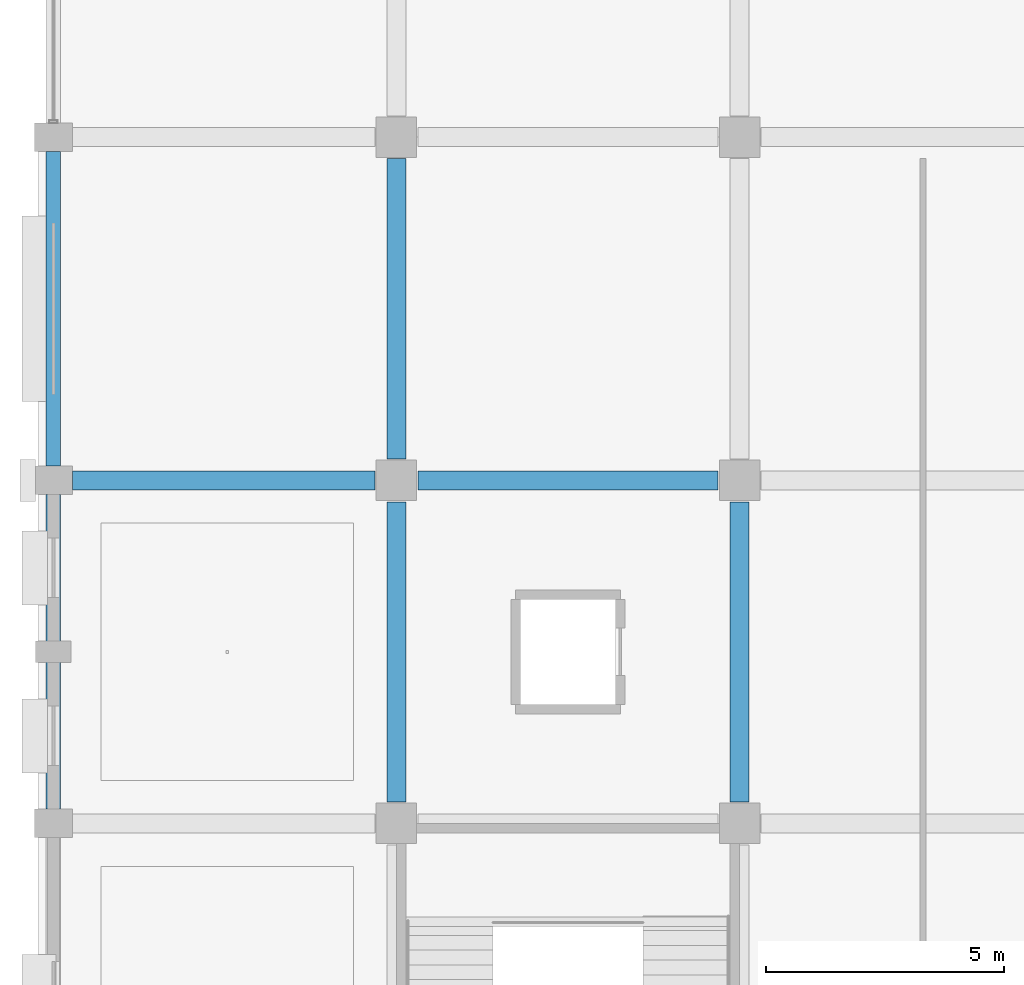
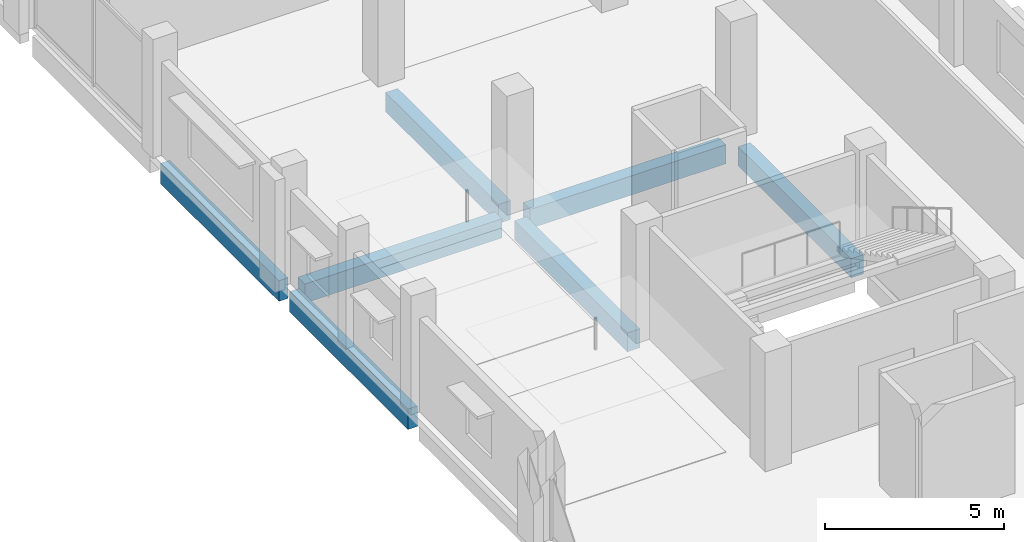
# One storey, part 25 of 107: 7 beams.
"""IFC4 building model written with IfcOpenShell, lengths in metres."""

from ifc_helpers import new_model, si_unit, direction, frame, origin, origin_2d, place, context, subcontext, project, spatial, rectangle, extrude, material, material_profile, profile_set, type_object, element, save


model = new_model("IFC4")

# Units and contexts
model_context = context("Model", 3, precision=1e-05, world=origin(), true_north=direction((0.0, 1.0)))
body_context = subcontext(model_context, "Body", "Model", "MODEL_VIEW")
ifc_project = project(units=[si_unit("LENGTHUNIT", "METRE"), si_unit("AREAUNIT", "SQUARE_METRE"), si_unit("VOLUMEUNIT", "CUBIC_METRE"), si_unit("PLANEANGLEUNIT", "RADIAN"), si_unit("MASSUNIT", "GRAM", prefix="KILO")], contexts=[model_context])

# Site, building, storey
site_placement = place(None, origin())
site = spatial("IfcSite", under=ifc_project, at=site_placement, CompositionType="ELEMENT")
building_placement = place(site_placement, origin())
building = spatial("IfcBuilding", under=site, at=building_placement, Name="Kangsadwip Square Police Headquarters", CompositionType="ELEMENT")
storey_placement = place(building_placement, frame((0.0, 0.0, 5.39990234375)))
storey = spatial("IfcBuildingStorey", under=building, at=storey_placement, Name="L01", CompositionType="ELEMENT", Elevation=5.39990234375)

# Beams
ifc_material_1 = material(Name="Concrete M35 (35 MPa)", Category="concrete")
ifc_material_profile_1 = material_profile(ifc_material_1, rectangle(XDim=0.39990234375, YDim=0.64990234375, at=origin_2d()), Name="RC BM 650X400")
ifc_profile_set_1 = profile_set([ifc_material_profile_1], Name="Concrete M35 (35 MPa)")
beam_type_1 = type_object("IfcBeamType", Name="RcBeam650x400", PredefinedType="BEAM", material=ifc_profile_set_1)
beam_1_placement = place(storey_placement, frame((0.39990234375, 86.39990234375, -0.56494140625), z_axis=(1.0, 0.0, 0.0), x_axis=(0.0, 1.0, 0.0)))
element("IfcBeam", 1, at=beam_1_placement, inside=storey, type_object=beam_type_1, Name="Beam BM-L01-X-00-12", PredefinedType="BEAM", context=body_context, shape_type="SweptSolid", body=[
    extrude(rectangle(XDim=0.39990234375, YDim=0.64990234375, at=origin_2d()), origin(), (0.0, 0.0, 1.0), 6.35009765625),
])
for number, where, z_axis, x_axis, name in (
    (2, (7.64990234375, 86.39990234375, -0.56494140625), (1.0, 0.0, 0.0), (0.0, 1.0, 0.0), "Beam BM-L01-X-01-12"),
    (3, (7.199951171875, 79.64990234375, -0.56494140625), (0.0, 1.0, 0.0), (-1.0, 0.0, 0.0), "Beam BM-L01-Y-01-11"),
):
    element("IfcBeam", number, at=place(storey_placement, frame(where, z_axis=z_axis, x_axis=x_axis)), inside=storey, type_object=beam_type_1, Name=name, PredefinedType="BEAM", context=body_context, shape_type="SweptSolid", body=[
        extrude(rectangle(XDim=0.39990234375, YDim=0.64990234375, at=origin_2d()), origin(), (0.0, 0.0, 1.0), 6.300048828125),
    ])
beam_2_placement = place(storey_placement, frame((7.199951171875, 86.85009765625, -0.56494140625), z_axis=(0.0, 1.0, 0.0), x_axis=(-1.0, 0.0, 0.0)))
element("IfcBeam", 4, at=beam_2_placement, inside=storey, type_object=beam_type_1, Name="Beam BM-L01-Y-01-12", PredefinedType="BEAM", context=body_context, shape_type="SweptSolid", body=[
    extrude(rectangle(XDim=0.39990234375, YDim=0.64990234375, at=origin_2d()), origin(), (0.0, 0.0, 1.0), 6.2998046875),
])
beam_3_placement = place(storey_placement, frame((14.39990234375, 79.64990234375, -0.56494140625), z_axis=(0.0, 1.0, 0.0), x_axis=(-1.0, 0.0, 0.0)))
element("IfcBeam", 5, at=beam_3_placement, inside=storey, type_object=beam_type_1, Name="Beam BM-L01-Y-02-11", PredefinedType="BEAM", context=body_context, shape_type="SweptSolid", body=[
    extrude(rectangle(XDim=0.39990234375, YDim=0.64990234375, at=origin_2d()), origin(), (0.0, 0.0, 1.0), 6.300048828125),
])
ifc_material_2 = material(Name="Concrete M40 (40 MPa)", Category="concrete")
ifc_material_profile_2 = material_profile(ifc_material_2, rectangle(XDim=0.300048828125, YDim=0.699951171875, at=origin_2d()), Name="RC SPN 700X300")
ifc_profile_set_2 = profile_set([ifc_material_profile_2], Name="Concrete M40 (40 MPa)")
beam_type_2 = type_object("IfcBeamType", Name="RcSpandrel700x300", PredefinedType="SPANDREL", material=ifc_profile_set_2)
for number, where, z_axis, x_axis, name in (
    (6, (0.0, 79.5, -0.58984375), (0.0, 1.0, 0.0), (-1.0, 0.0, 0.0), "Beam BM-L01-Y-00-11"),
    (7, (0.0, 86.699951171875, -0.58984375), (0.0, 1.0, 0.0), (-1.0, 0.0, 0.0), "Beam BM-L01-Y-00-12"),
):
    element("IfcBeam", number, at=place(storey_placement, frame(where, z_axis=z_axis, x_axis=x_axis)), inside=storey, type_object=beam_type_2, Name=name, PredefinedType="SPANDREL", context=body_context, shape_type="SweptSolid", body=[
        extrude(rectangle(XDim=0.300048828125, YDim=0.699951171875, at=origin_2d()), origin(), (0.0, 0.0, 1.0), 6.60009765625),
    ])

save(model, "model.ifc")
